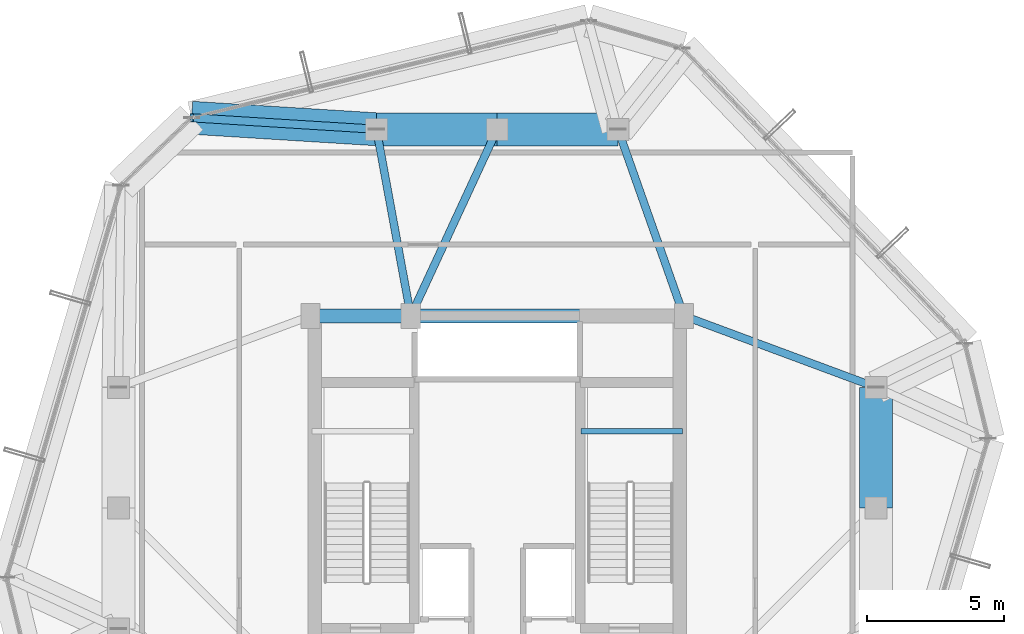
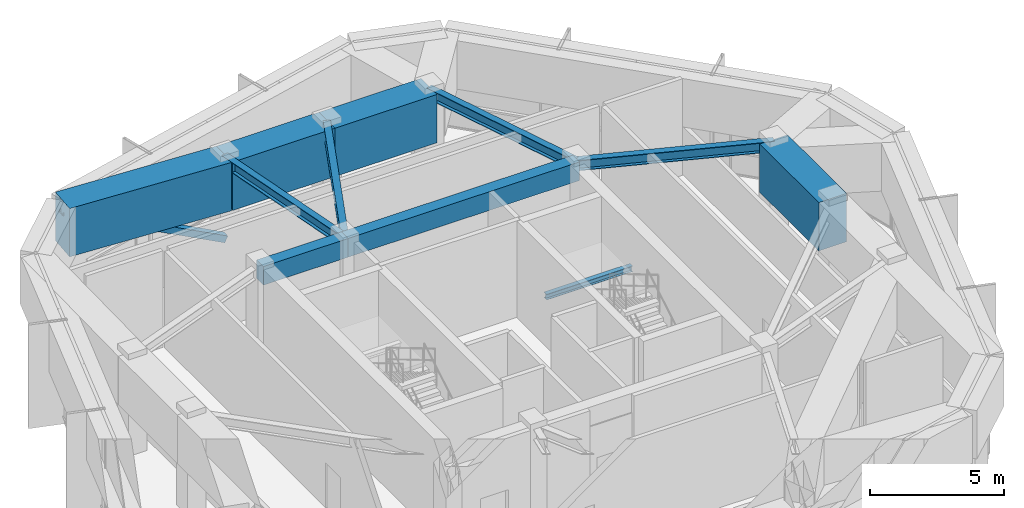
# One storey, part 19 of 39: 11 beams, 1 member.
"""IFC4 building model written with IfcOpenShell, lengths in metres."""

from ifc_helpers import new_model, si_unit, direction, frame, origin, origin_2d, place, context, subcontext, project, spatial, rectangle, hollow_rectangle, i_section, extrude, material, material_profile, profile_set, type_object, element, save


model = new_model("IFC4")

# Units and contexts
model_context = context("Model", 3, precision=1e-05, world=origin(), true_north=direction((0.0, 1.0)))
body_context = subcontext(model_context, "Body", "Model", "MODEL_VIEW")
ifc_project = project(units=[si_unit("LENGTHUNIT", "METRE"), si_unit("AREAUNIT", "SQUARE_METRE"), si_unit("VOLUMEUNIT", "CUBIC_METRE"), si_unit("PLANEANGLEUNIT", "RADIAN"), si_unit("MASSUNIT", "GRAM", prefix="KILO")], contexts=[model_context])

# Site, building, storey
site_placement = place(None, origin())
site = spatial("IfcSite", under=ifc_project, at=site_placement, CompositionType="ELEMENT")
building_placement = place(site_placement, origin())
building = spatial("IfcBuilding", under=site, at=building_placement, Name="Veraguas Prism Commons", CompositionType="ELEMENT")
storey_placement = place(building_placement, frame((0.0, 0.0, 264.25)))
storey = spatial("IfcBuildingStorey", under=building, at=storey_placement, Name="L75", CompositionType="ELEMENT", Elevation=264.25)

# Beams
ifc_material_1 = material(Name="Concrete C50/60", Category="concrete")
ifc_material_profile_1 = material_profile(ifc_material_1, rectangle(XDim=0.5, YDim=0.85009765625, at=origin_2d()), Name="RC500X850")
ifc_profile_set_1 = profile_set([ifc_material_profile_1], Name="Concrete C50/60")
beam_type_1 = type_object("IfcBeamType", Name="Core Coupling Beam RC 500x850", PredefinedType="BEAM", material=ifc_profile_set_1)
beam_1_placement = place(storey_placement, frame((17.199951171875, 31.0, 3.965087890625), z_axis=(1.0, 0.0, 0.0), x_axis=(0.0, 1.0, 0.0)))
element("IfcBeam", 1, at=beam_1_placement, inside=storey, type_object=beam_type_1, Name="Core Coupling Beam L75-CRN1", PredefinedType="BEAM", context=body_context, shape_type="SweptSolid", body=[
    extrude(rectangle(XDim=0.5, YDim=0.85009765625, at=origin_2d()), origin(), (0.0, 0.0, 1.0), 3.650146484375),
])
beam_2_placement = place(storey_placement, frame((20.85009765625, 31.0, 3.965087890625), z_axis=(1.0, 0.0, 0.0), x_axis=(0.0, 1.0, 0.0)))
element("IfcBeam", 2, at=beam_2_placement, inside=storey, type_object=beam_type_1, Name="Core Coupling Beam L75-CRN2", PredefinedType="BEAM", context=body_context, shape_type="SweptSolid", body=[
    extrude(rectangle(XDim=0.5, YDim=0.85009765625, at=origin_2d()), origin(), (0.0, 0.0, 1.0), 9.949951171875),
])
ifc_material_profile_2 = material_profile(ifc_material_1, rectangle(XDim=1.199951171875, YDim=2.199951171875, at=origin_2d()), Name="RC1200X2200")
ifc_profile_set_2 = profile_set([ifc_material_profile_2], Name="Concrete C50/60")
beam_type_2 = type_object("IfcBeamType", Name="Podium Transfer Girder RC 1200x2200", PredefinedType="BEAM", material=ifc_profile_set_2)
for number, where, z_axis, x_axis, name in (
    (3, (37.800048828125, 24.0, 3.2900390625), (0.0, 1.0, 0.0), (-1.0, 0.0, 0.0), "Perimeter Spandrel Beam L75-SP02"),
    (4, (28.39990234375, 37.800048828125, 3.2900390625), (-1.0, 0.0, 0.0), (0.0, -1.0, 0.0), "Perimeter Spandrel Beam L75-SP04"),
    (5, (24.0, 37.800048828125, 3.2900390625), (-1.0, 0.0, 0.0), (0.0, -1.0, 0.0), "Perimeter Spandrel Beam L75-SP05"),
):
    element("IfcBeam", number, at=place(storey_placement, frame(where, z_axis=z_axis, x_axis=x_axis)), inside=storey, type_object=beam_type_2, Name=name, PredefinedType="BEAM", context=body_context, shape_type="SweptSolid", body=[
        extrude(rectangle(XDim=1.199951171875, YDim=2.199951171875, at=origin_2d()), origin(), (0.0, 0.0, 1.0), 4.39990234375),
    ])
beam_3_placement = place(storey_placement, frame((19.60009765625, 37.800048828125, 3.2900390625), z_axis=(-0.998065511426, 0.062171013366, 0.0), x_axis=(-0.062171013366, -0.998065511426, 0.0)))
element("IfcBeam", 6, at=beam_3_placement, inside=storey, type_object=beam_type_2, Name="Crown Rib Support Girder L75-05", PredefinedType="BEAM", context=body_context, shape_type="SweptSolid", body=[
    extrude(rectangle(XDim=1.199951171875, YDim=2.199951171875, at=origin_2d()), origin(), (0.0, 0.0, 1.0), 6.746337890625),
])

# Member
ifc_material_2 = material(Name="Steel ASTM A500 Grade C", Category="steel")
ifc_material_profile_3 = material_profile(ifc_material_2, hollow_rectangle(XDim=0.300048828125, YDim=0.300048828125, WallThickness=0.01611328125, at=origin_2d()), Name="HSS300X300X16")
ifc_profile_set_3 = profile_set([ifc_material_profile_3], Name="Steel ASTM A500 Grade C")
member_type = type_object("IfcMemberType", Name="Sky Pool Bracket Strut HSS 300x300x16", PredefinedType="STRUT", material=ifc_profile_set_3)
member_placement = place(storey_placement, frame((19.60009765625, 37.800048828125, 0.60009765625), z_axis=(-0.894460199752, 0.055717281478, 0.443662637151), x_axis=(-0.062171013366, -0.998065511426, 0.0)))
element("IfcMember", 7, at=member_placement, inside=storey, type_object=member_type, Name="Crown Base Raker Strut L75-05", PredefinedType="STRUT", context=body_context, shape_type="SweptSolid", body=[
    extrude(hollow_rectangle(XDim=0.300048828125, YDim=0.300048828125, WallThickness=0.01611328125, at=origin_2d()), origin(), (0.0, 0.0, 1.0), 7.52783203125),
])

# Beams
ifc_material_3 = material(Name="Steel ASTM A992 Grade 50", Category="steel")
ifc_material_profile_4 = material_profile(ifc_material_3, i_section(OverallWidth=0.202880859375, OverallDepth=0.251953125, WebThickness=0.008056640625, FlangeThickness=0.013427734375, at=origin_2d()), Name="W250X58")
ifc_profile_set_4 = profile_set([ifc_material_profile_4], Name="Steel ASTM A992 Grade 50")
beam_type_3 = type_object("IfcBeamType", Name="Structural Opening Lintel W250x58", PredefinedType="LINTEL", material=ifc_profile_set_4)
beam_4_placement = place(storey_placement, frame((27.050048828125, 26.800048828125, 1.9990234375), z_axis=(1.0, 0.0, 0.0), x_axis=(0.0, 1.0, 0.0)))
element("IfcBeam", 8, at=beam_4_placement, inside=storey, type_object=beam_type_3, Name="Stair ST-02 Half-Landing Support Beam L75-1", PredefinedType="LINTEL", context=body_context, shape_type="SweptSolid", body=[
    extrude(i_section(OverallWidth=0.202880859375, OverallDepth=0.251953125, WebThickness=0.008056640625, FlangeThickness=0.013427734375, at=origin_2d()), origin(), (0.0, 0.0, 1.0), 3.699951171875),
])
ifc_material_profile_5 = material_profile(ifc_material_3, i_section(OverallWidth=0.282958984375, OverallDepth=0.471923828125, WebThickness=0.013671875, FlangeThickness=0.022216796875, at=origin_2d()), Name="W460X144")
ifc_profile_set_5 = profile_set([ifc_material_profile_5], Name="Steel ASTM A992 Grade 50")
beam_type_4 = type_object("IfcBeamType", Name="Zone 4 Radial Girder W460x144", PredefinedType="BEAM", material=ifc_profile_set_5)
beam_5_placement = place(storey_placement, frame((37.800048828125, 28.39990234375, 4.154052734375), z_axis=(-0.937421003341, 0.348198021958, 0.0), x_axis=(-0.348198021958, -0.937421003341, 0.0)))
element("IfcBeam", 9, at=beam_5_placement, inside=storey, type_object=beam_type_4, Name="Crown Base Radial Girder L75-RD03", PredefinedType="BEAM", context=body_context, shape_type="SweptSolid", body=[
    extrude(i_section(OverallWidth=0.282958984375, OverallDepth=0.471923828125, WebThickness=0.013671875, FlangeThickness=0.022216796875, at=origin_2d()), origin(), (0.0, 0.0, 1.0), 7.46728515625),
])
beam_6_placement = place(storey_placement, frame((28.39990234375, 37.800048828125, 4.154052734375), z_axis=(0.332836055941, -0.942984708182, 0.0), x_axis=(0.942984708182, 0.332836055941, 0.0)))
element("IfcBeam", 10, at=beam_6_placement, inside=storey, type_object=beam_type_4, Name="Crown Base Radial Girder L75-RD04", PredefinedType="BEAM", context=body_context, shape_type="SweptSolid", body=[
    extrude(i_section(OverallWidth=0.282958984375, OverallDepth=0.471923828125, WebThickness=0.013671875, FlangeThickness=0.022216796875, at=origin_2d()), origin(), (0.0, 0.0, 1.0), 7.211181640625),
])
beam_7_placement = place(storey_placement, frame((24.0, 37.800048828125, 4.154052734375), z_axis=(-0.420313834543, -0.907378796585, 0.0), x_axis=(0.907378796585, -0.420313834543, 0.0)))
element("IfcBeam", 11, at=beam_7_placement, inside=storey, type_object=beam_type_4, Name="Crown Base Radial Girder L75-RD05", PredefinedType="BEAM", context=body_context, shape_type="SweptSolid", body=[
    extrude(i_section(OverallWidth=0.282958984375, OverallDepth=0.471923828125, WebThickness=0.013671875, FlangeThickness=0.022216796875, at=origin_2d()), origin(), (0.0, 0.0, 1.0), 7.494140625),
])
beam_8_placement = place(storey_placement, frame((19.60009765625, 37.800048828125, 4.154052734375), z_axis=(0.180793033327, -0.983521163524, 0.0), x_axis=(0.983521163524, 0.180793033327, 0.0)))
element("IfcBeam", 12, at=beam_8_placement, inside=storey, type_object=beam_type_4, Name="Crown Base Radial Girder L75-RD06", PredefinedType="BEAM", context=body_context, shape_type="SweptSolid", body=[
    extrude(i_section(OverallWidth=0.282958984375, OverallDepth=0.471923828125, WebThickness=0.013671875, FlangeThickness=0.022216796875, at=origin_2d()), origin(), (0.0, 0.0, 1.0), 6.9140625),
])

save(model, "model.ifc")
